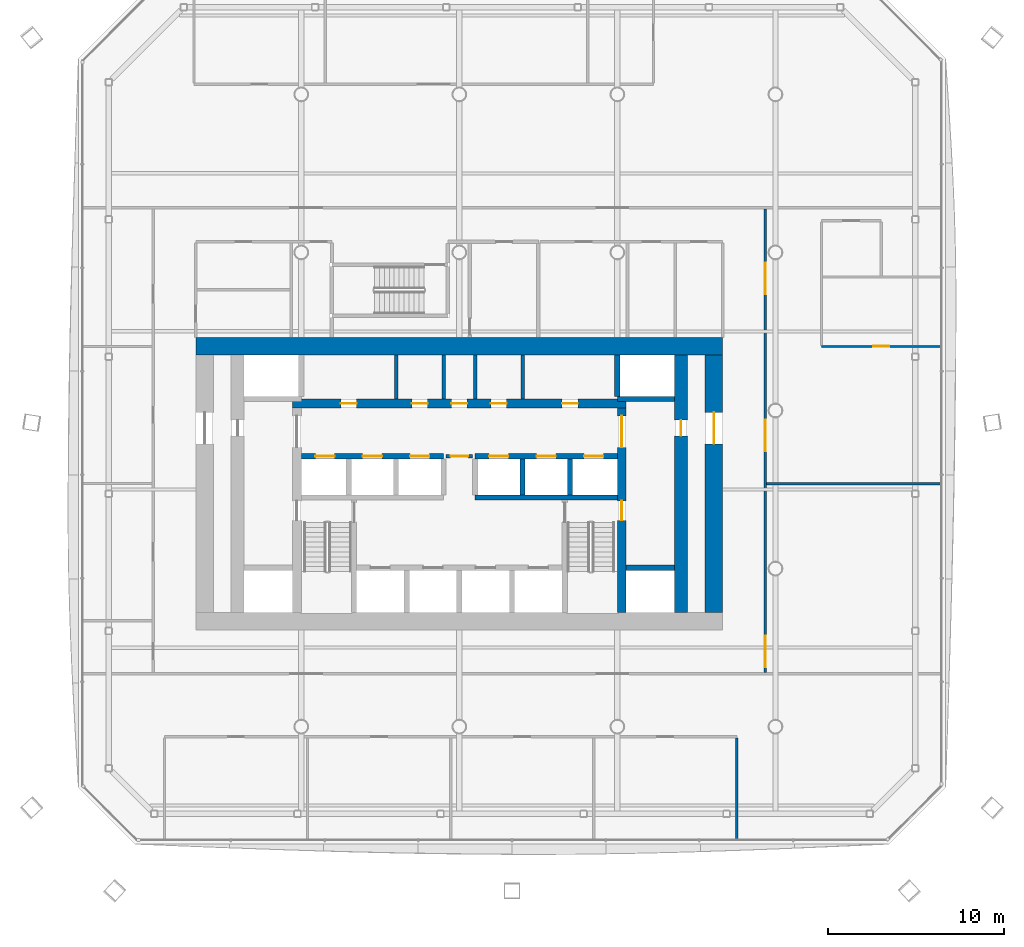
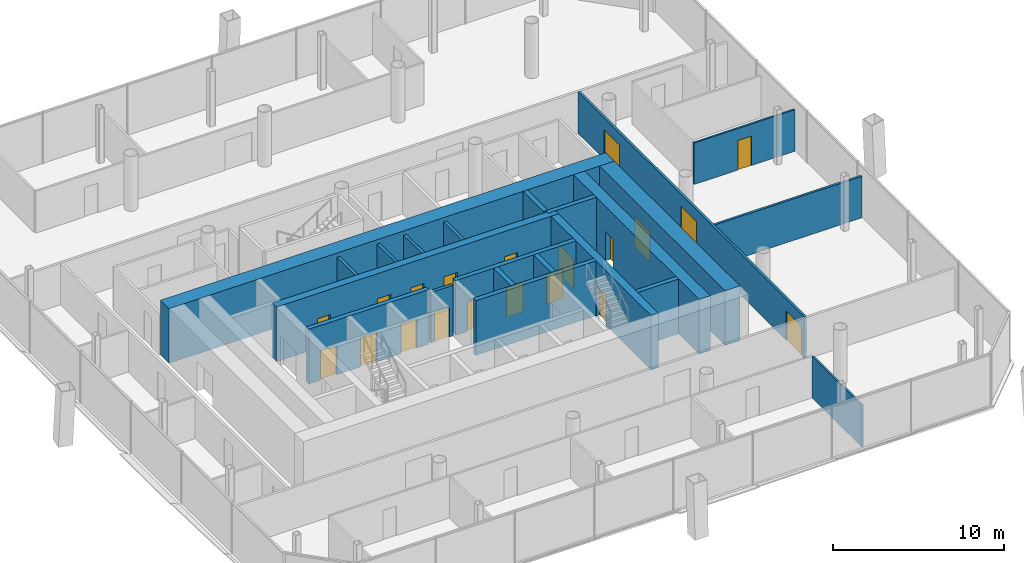
# One storey, part 12 of 19: 22 walls, 20 doors, 20 openings.
"""IFC4 building model written with IfcOpenShell, lengths in metres."""

from ifc_helpers import new_model, si_unit, direction, frame, frame_2d, origin, place, context, subcontext, project, spatial, rectangle, extrude, material, layer, layer_set, type_object, element, fill, save


model = new_model("IFC4")

# Units and contexts
model_context = context("Model", 3, precision=1e-05, world=origin(), true_north=direction((0.0, 1.0)))
body_context = subcontext(model_context, "Body", "Model", "MODEL_VIEW")
ifc_project = project(units=[si_unit("LENGTHUNIT", "METRE"), si_unit("AREAUNIT", "SQUARE_METRE"), si_unit("VOLUMEUNIT", "CUBIC_METRE"), si_unit("PLANEANGLEUNIT", "RADIAN"), si_unit("MASSUNIT", "GRAM", prefix="KILO")], contexts=[model_context])

# Site, building, storey
site_placement = place(None, origin())
site = spatial("IfcSite", under=ifc_project, at=site_placement, CompositionType="ELEMENT")
building_placement = place(site_placement, origin())
building = spatial("IfcBuilding", under=site, at=building_placement, Name="Tskaro Facet Tower", CompositionType="ELEMENT")
storey_placement = place(building_placement, frame((0.0, 0.0, 89.39990234375)))
storey = spatial("IfcBuildingStorey", under=building, at=storey_placement, Name="L21", CompositionType="ELEMENT", Elevation=89.39990234375)

# Walls
ifc_material_1 = material(Name="Concrete C60/75", Category="concrete")
ifc_layer_1 = layer(ifc_material_1, 0.300048828125, Name="Concrete C60/75")
ifc_layer_set_1 = layer_set([ifc_layer_1], Name="Concrete C60/75")
wall_type_1 = type_object("IfcWallType", Name="CORE-SHAFT", PredefinedType="SHEAR", material=ifc_layer_set_1)
wall_1_placement = place(storey_placement, frame((9.5, -8.949951171875, 0.0), z_axis=(0.0, 0.0, 1.0), x_axis=(1.0, 0.0, 0.0)))
element("IfcWall", 1, at=wall_1_placement, inside=storey, type_object=wall_type_1, Name="Shaft wall W006", PredefinedType="SHEAR", context=body_context, shape_type="SweptSolid", body=[
    extrude(rectangle(XDim=2.75, YDim=0.300048828125, at=frame_2d((1.375, 0.0))), origin(), (0.0, 0.0, 1.0), 3.900146484375),
])
wall_2_placement = place(storey_placement, frame((0.89990234375, -4.949951171875, 0.0), z_axis=(0.0, 0.0, 1.0), x_axis=(1.0, 0.0, 0.0)))
element("IfcWall", 2, at=wall_2_placement, inside=storey, type_object=wall_type_1, Name="Shaft wall W008", PredefinedType="SHEAR", context=body_context, shape_type="SweptSolid", body=[
    extrude(rectangle(XDim=8.10009765625, YDim=0.300048828125, at=frame_2d((4.050048828125, 0.0))), origin(), (0.0, 0.0, 1.0), 3.900146484375),
])

# Wall, openings, doors
wall_3_placement = place(storey_placement, frame((-9.0, -2.60009765625, 0.0), z_axis=(0.0, 0.0, 1.0), x_axis=(1.0, 0.0, 0.0)))
wall_3 = element("IfcWall", 3, at=wall_3_placement, inside=storey, type_object=wall_type_1, Name="Shaft wall W011", PredefinedType="SHEAR", context=body_context, shape_type="SweptSolid", body=[
    extrude(rectangle(XDim=8.10009765625, YDim=0.300048828125, at=frame_2d((4.050048828125, 0.0))), origin(), (0.0, 0.0, 1.0), 3.900146484375),
])
opening_1_placement = place(wall_3_placement, frame((0.800048828125, 0.0, 0.0)))
opening_1 = element("IfcOpeningElement", 4, at=opening_1_placement, cuts=wall_3, Name="Opening LD-LR1", PredefinedType="OPENING", context=body_context, shape_type="SweptSolid", body=[
    extrude(rectangle(XDim=1.10009765625, YDim=2.10009765625, at=frame_2d((0.550048828125, 1.050048828125))), frame((0.0, 0.159912109375, 0.0), z_axis=(0.0, -1.0, 0.0), x_axis=(1.0, 0.0, 0.0)), (0.0, 0.0, 1.0), 0.320068359375),
])
opening_2_placement = place(wall_3_placement, frame((3.5, 0.0, 0.0)))
opening_2 = element("IfcOpeningElement", 5, at=opening_2_placement, cuts=wall_3, Name="Opening LD-LR2", PredefinedType="OPENING", context=body_context, shape_type="SweptSolid", body=[
    extrude(rectangle(XDim=1.10009765625, YDim=2.10009765625, at=frame_2d((0.550048828125, 1.050048828125))), frame((0.0, 0.159912109375, 0.0), z_axis=(0.0, -1.0, 0.0), x_axis=(1.0, 0.0, 0.0)), (0.0, 0.0, 1.0), 0.320068359375),
])
opening_3_placement = place(wall_3_placement, frame((6.199951171875, 0.0, 0.0)))
opening_3 = element("IfcOpeningElement", 6, at=opening_3_placement, cuts=wall_3, Name="Opening LD-LR3", PredefinedType="OPENING", context=body_context, shape_type="SweptSolid", body=[
    extrude(rectangle(XDim=1.10009765625, YDim=2.10009765625, at=frame_2d((0.550048828125, 1.050048828125))), frame((0.0, 0.159912109375, 0.0), z_axis=(0.0, -1.0, 0.0), x_axis=(1.0, 0.0, 0.0)), (0.0, 0.0, 1.0), 0.320068359375),
])
ifc_material_2 = material(Name="Stainless steel", Category="steel")
door_type_1 = type_object("IfcDoorType", Name="D-LANDING", OperationType="NOTDEFINED", PredefinedType="DOOR", material=ifc_material_2)
door_1_placement = place(opening_1_placement, origin())
door_1 = element("IfcDoor", 7, at=door_1_placement, inside=storey, type_object=door_type_1, Name="Landing door LR1", OperationType="DOUBLE_DOOR_SLIDING", OverallHeight=2.10009765625, OverallWidth=1.10009765625, PredefinedType="DOOR", context=body_context, shape_type="SweptSolid", body=[
    extrude(rectangle(XDim=1.10009765625, YDim=2.10009765625, at=frame_2d((0.550048828125, 1.050048828125))), frame((0.0, 0.02490234375, 0.0), z_axis=(0.0, -1.0, 0.0), x_axis=(1.0, 0.0, 0.0)), (0.0, 0.0, 1.0), 0.050048828125),
])
fill(opening_1, door_1)
door_2_placement = place(opening_2_placement, origin())
door_2 = element("IfcDoor", 8, at=door_2_placement, inside=storey, type_object=door_type_1, Name="Landing door LR2", OperationType="DOUBLE_DOOR_SLIDING", OverallHeight=2.10009765625, OverallWidth=1.10009765625, PredefinedType="DOOR", context=body_context, shape_type="SweptSolid", body=[
    extrude(rectangle(XDim=1.10009765625, YDim=2.10009765625, at=frame_2d((0.550048828125, 1.050048828125))), frame((0.0, 0.02490234375, 0.0), z_axis=(0.0, -1.0, 0.0), x_axis=(1.0, 0.0, 0.0)), (0.0, 0.0, 1.0), 0.050048828125),
])
fill(opening_2, door_2)
door_3_placement = place(opening_3_placement, origin())
door_3 = element("IfcDoor", 9, at=door_3_placement, inside=storey, type_object=door_type_1, Name="Landing door LR3", OperationType="DOUBLE_DOOR_SLIDING", OverallHeight=2.10009765625, OverallWidth=1.10009765625, PredefinedType="DOOR", context=body_context, shape_type="SweptSolid", body=[
    extrude(rectangle(XDim=1.10009765625, YDim=2.10009765625, at=frame_2d((0.550048828125, 1.050048828125))), frame((0.0, 0.02490234375, 0.0), z_axis=(0.0, -1.0, 0.0), x_axis=(1.0, 0.0, 0.0)), (0.0, 0.0, 1.0), 0.050048828125),
])
fill(opening_3, door_3)

wall_4_placement = place(storey_placement, frame((0.89990234375, -2.60009765625, 0.0), z_axis=(0.0, 0.0, 1.0), x_axis=(1.0, 0.0, 0.0)))
wall_4 = element("IfcWall", 10, at=wall_4_placement, inside=storey, type_object=wall_type_1, Name="Shaft wall W013", PredefinedType="SHEAR", context=body_context, shape_type="SweptSolid", body=[
    extrude(rectangle(XDim=8.10009765625, YDim=0.300048828125, at=frame_2d((4.050048828125, 0.0))), origin(), (0.0, 0.0, 1.0), 3.900146484375),
])
opening_4_placement = place(wall_4_placement, frame((0.800048828125, 0.0, 0.0)))
opening_4 = element("IfcOpeningElement", 11, at=opening_4_placement, cuts=wall_4, Name="Opening LD-LR4", PredefinedType="OPENING", context=body_context, shape_type="SweptSolid", body=[
    extrude(rectangle(XDim=1.10009765625, YDim=2.10009765625, at=frame_2d((0.550048828125, 1.050048828125))), frame((0.0, 0.159912109375, 0.0), z_axis=(0.0, -1.0, 0.0), x_axis=(1.0, 0.0, 0.0)), (0.0, 0.0, 1.0), 0.320068359375),
])
opening_5_placement = place(wall_4_placement, frame((3.5, 0.0, 0.0)))
opening_5 = element("IfcOpeningElement", 12, at=opening_5_placement, cuts=wall_4, Name="Opening LD-LR5", PredefinedType="OPENING", context=body_context, shape_type="SweptSolid", body=[
    extrude(rectangle(XDim=1.10009765625, YDim=2.10009765625, at=frame_2d((0.550048828125, 1.050048828125))), frame((0.0, 0.159912109375, 0.0), z_axis=(0.0, -1.0, 0.0), x_axis=(1.0, 0.0, 0.0)), (0.0, 0.0, 1.0), 0.320068359375),
])
opening_6_placement = place(wall_4_placement, frame((6.199951171875, 0.0, 0.0)))
opening_6 = element("IfcOpeningElement", 13, at=opening_6_placement, cuts=wall_4, Name="Opening LD-LR6", PredefinedType="OPENING", context=body_context, shape_type="SweptSolid", body=[
    extrude(rectangle(XDim=1.10009765625, YDim=2.10009765625, at=frame_2d((0.550048828125, 1.050048828125))), frame((0.0, 0.159912109375, 0.0), z_axis=(0.0, -1.0, 0.0), x_axis=(1.0, 0.0, 0.0)), (0.0, 0.0, 1.0), 0.320068359375),
])
door_4_placement = place(opening_4_placement, origin())
door_4 = element("IfcDoor", 14, at=door_4_placement, inside=storey, type_object=door_type_1, Name="Landing door LR4", OperationType="DOUBLE_DOOR_SLIDING", OverallHeight=2.10009765625, OverallWidth=1.10009765625, PredefinedType="DOOR", context=body_context, shape_type="SweptSolid", body=[
    extrude(rectangle(XDim=1.10009765625, YDim=2.10009765625, at=frame_2d((0.550048828125, 1.050048828125))), frame((0.0, 0.02490234375, 0.0), z_axis=(0.0, -1.0, 0.0), x_axis=(1.0, 0.0, 0.0)), (0.0, 0.0, 1.0), 0.050048828125),
])
fill(opening_4, door_4)
door_5_placement = place(opening_5_placement, origin())
door_5 = element("IfcDoor", 15, at=door_5_placement, inside=storey, type_object=door_type_1, Name="Landing door LR5", OperationType="DOUBLE_DOOR_SLIDING", OverallHeight=2.10009765625, OverallWidth=1.10009765625, PredefinedType="DOOR", context=body_context, shape_type="SweptSolid", body=[
    extrude(rectangle(XDim=1.10009765625, YDim=2.10009765625, at=frame_2d((0.550048828125, 1.050048828125))), frame((0.0, 0.02490234375, 0.0), z_axis=(0.0, -1.0, 0.0), x_axis=(1.0, 0.0, 0.0)), (0.0, 0.0, 1.0), 0.050048828125),
])
fill(opening_5, door_5)
door_6_placement = place(opening_6_placement, origin())
door_6 = element("IfcDoor", 16, at=door_6_placement, inside=storey, type_object=door_type_1, Name="Landing door LR6", OperationType="DOUBLE_DOOR_SLIDING", OverallHeight=2.10009765625, OverallWidth=1.10009765625, PredefinedType="DOOR", context=body_context, shape_type="SweptSolid", body=[
    extrude(rectangle(XDim=1.10009765625, YDim=2.10009765625, at=frame_2d((0.550048828125, 1.050048828125))), frame((0.0, 0.02490234375, 0.0), z_axis=(0.0, -1.0, 0.0), x_axis=(1.0, 0.0, 0.0)), (0.0, 0.0, 1.0), 0.050048828125),
])
fill(opening_6, door_6)

# Walls
wall_5_placement = place(storey_placement, frame((12.25, 0.64990234375, 0.0), z_axis=(0.0, 0.0, 1.0), x_axis=(-1.0, 0.0, 0.0)))
element("IfcWall", 17, at=wall_5_placement, inside=storey, type_object=wall_type_1, Name="Shaft wall W015", PredefinedType="SHEAR", context=body_context, shape_type="SweptSolid", body=[
    extrude(rectangle(XDim=3.25, YDim=0.300048828125, at=frame_2d((1.625, 0.0))), origin(), (0.0, 0.0, 1.0), 3.900146484375),
])
for number, where, z_axis, x_axis, name in (
    (18, (3.60009765625, -4.800048828125, 0.0), (0.0, 0.0, 1.0), (0.0, 1.0, 0.0), "Shaft wall W054"),
    (19, (6.300048828125, -4.800048828125, 0.0), (0.0, 0.0, 1.0), (0.0, 1.0, 0.0), "Shaft wall W058"),
):
    element("IfcWall", number, at=place(storey_placement, frame(where, z_axis=z_axis, x_axis=x_axis)), inside=storey, type_object=wall_type_1, Name=name, PredefinedType="SHEAR", context=body_context, shape_type="SweptSolid", body=[
        extrude(rectangle(XDim=2.050048828125, YDim=0.300048828125, at=frame_2d((1.02490234375, 0.0))), origin(), (0.0, 0.0, 1.0), 3.900146484375),
    ])
wall_6_placement = place(storey_placement, frame((9.0, 0.800048828125, 0.0), z_axis=(0.0, 0.0, 1.0), x_axis=(0.0, 1.0, 0.0)))
element("IfcWall", 20, at=wall_6_placement, inside=storey, type_object=wall_type_1, Name="Shaft wall W061", PredefinedType="SHEAR", context=body_context, shape_type="SweptSolid", body=[
    extrude(rectangle(XDim=2.349853515625, YDim=0.300048828125, at=frame_2d((1.1748046875, 0.0))), origin(), (0.0, 0.0, 1.0), 3.900146484375),
])

# Wall, opening, door
ifc_material_3 = material(Name="Concrete C20/25", Category="concrete")
ifc_layer_2 = layer(ifc_material_3, 0.199951171875, Name="Concrete C20/25")
ifc_layer_set_2 = layer_set([ifc_layer_2], Name="Concrete C20/25")
wall_type_2 = type_object("IfcWallType", Name="CORE-WALL", PredefinedType="SOLIDWALL", material=ifc_layer_set_2)
wall_7_placement = place(storey_placement, frame((0.75, -2.60009765625, 0.0), z_axis=(0.0, 0.0, 1.0), x_axis=(-1.0, 0.0, 0.0)))
wall_7 = element("IfcWall", 21, at=wall_7_placement, inside=storey, type_object=wall_type_2, Name="Core room wall W012", PredefinedType="SOLIDWALL", context=body_context, shape_type="SweptSolid", body=[
    extrude(rectangle(XDim=1.5, YDim=0.199951171875, at=frame_2d((0.75, 0.0))), origin(), (0.0, 0.0, 1.0), 3.60009765625),
])
opening_7_placement = place(wall_7_placement, frame((0.25, 0.0, 0.0)))
opening_7 = element("IfcOpeningElement", 22, at=opening_7_placement, cuts=wall_7, Name="Opening FL-D1", PredefinedType="OPENING", context=body_context, shape_type="SweptSolid", body=[
    extrude(rectangle(XDim=1.0, YDim=2.10009765625, at=frame_2d((0.5, 1.050048828125))), frame((0.0, 0.10986328125, 0.0), z_axis=(0.0, -1.0, 0.0), x_axis=(1.0, 0.0, 0.0)), (0.0, 0.0, 1.0), 0.219970703125),
])
ifc_material_4 = material(Name="Steel", Category="steel")
door_type_2 = type_object("IfcDoorType", Name="D-LOBBY", OperationType="NOTDEFINED", PredefinedType="DOOR", material=ifc_material_4)
door_7_placement = place(opening_7_placement, origin())
door_7 = element("IfcDoor", 23, at=door_7_placement, inside=storey, type_object=door_type_2, Name="Lobby door FL", OperationType="SINGLE_SWING_RIGHT", OverallHeight=2.10009765625, OverallWidth=1.0, PredefinedType="DOOR", context=body_context, shape_type="SweptSolid", body=[
    extrude(rectangle(XDim=1.0, YDim=2.10009765625, at=frame_2d((0.5, 1.050048828125))), frame((0.0, 0.02490234375, 0.0), z_axis=(0.0, -1.0, 0.0), x_axis=(1.0, 0.0, 0.0)), (0.0, 0.0, 1.0), 0.050048828125),
])
fill(opening_7, door_7)

# Walls
for number, where, z_axis, x_axis, name in (
    (24, (-3.60009765625, 0.64990234375, 0.0), (0.0, 0.0, 1.0), (0.0, 1.0, 0.0), "Core room wall W042"),
    (25, (-0.89990234375, 0.64990234375, 0.0), (0.0, 0.0, 1.0), (0.0, 1.0, 0.0), "Core room wall W045"),
    (26, (0.89990234375, 0.64990234375, 0.0), (0.0, 0.0, 1.0), (0.0, 1.0, 0.0), "Core room wall W052"),
    (27, (3.60009765625, 0.64990234375, 0.0), (0.0, 0.0, 1.0), (0.0, 1.0, 0.0), "Core room wall W055"),
):
    element("IfcWall", number, at=place(storey_placement, frame(where, z_axis=z_axis, x_axis=x_axis)), inside=storey, type_object=wall_type_2, Name=name, PredefinedType="SOLIDWALL", context=body_context, shape_type="SweptSolid", body=[
        extrude(rectangle(XDim=2.5, YDim=0.199951171875, at=frame_2d((1.25, 0.0))), origin(), (0.0, 0.0, 1.0), 3.60009765625),
    ])
ifc_layer_3 = layer(ifc_material_1, 1.0, Name="Concrete C60/75")
ifc_layer_set_3 = layer_set([ifc_layer_3], Name="Concrete C60/75")
wall_type_3 = type_object("IfcWallType", Name="Core wall 1000", PredefinedType="SHEAR", material=ifc_layer_set_3)
wall_8_placement = place(storey_placement, frame((-15.0, 3.64990234375, 0.0), z_axis=(0.0, 0.0, 1.0), x_axis=(1.0, 0.0, 0.0)))
element("IfcWall", 28, at=wall_8_placement, inside=storey, type_object=wall_type_3, Name="Core wall CW-Z1N", PredefinedType="SHEAR", context=body_context, shape_type="SweptSolid", body=[
    extrude(rectangle(XDim=30.0, YDim=1.0, at=frame_2d((15.0, 0.0))), origin(), (0.0, 0.0, 1.0), 3.900146484375),
])

# Wall, opening, door
wall_9_placement = place(storey_placement, frame((14.5, -11.5, 0.0), z_axis=(0.0, 0.0, 1.0), x_axis=(0.0, 1.0, 0.0)))
wall_9 = element("IfcWall", 29, at=wall_9_placement, inside=storey, type_object=wall_type_3, Name="Core wall CW-Z1E", PredefinedType="SHEAR", context=body_context, shape_type="SweptSolid", body=[
    extrude(rectangle(XDim=14.64990234375, YDim=1.0, at=frame_2d((7.324951171875, 0.0))), origin(), (0.0, 0.0, 1.0), 3.900146484375),
])
opening_8_placement = place(wall_9_placement, frame((9.60009765625, 0.0, 0.0)))
opening_8 = element("IfcOpeningElement", 30, at=opening_8_placement, cuts=wall_9, Name="Opening T6-D18", PredefinedType="OPENING", context=body_context, shape_type="SweptSolid", body=[
    extrude(rectangle(XDim=1.800048828125, YDim=2.10009765625, at=frame_2d((0.89990234375, 1.050048828125))), frame((0.0, 0.510009765625, 0.0), z_axis=(0.0, -1.0, 0.0), x_axis=(1.0, 0.0, 0.0)), (0.0, 0.0, 1.0), 1.02001953125),
])
door_type_3 = type_object("IfcDoorType", Name="D-CORE-PAIR", OperationType="NOTDEFINED", PredefinedType="DOOR", material=ifc_material_4)
door_8_placement = place(opening_8_placement, origin())
door_8 = element("IfcDoor", 31, at=door_8_placement, inside=storey, type_object=door_type_3, Name="Door T6-D18", OperationType="DOUBLE_DOOR_SINGLE_SWING", OverallHeight=2.10009765625, OverallWidth=1.800048828125, PredefinedType="DOOR", context=body_context, shape_type="SweptSolid", body=[
    extrude(rectangle(XDim=1.800048828125, YDim=2.10009765625, at=frame_2d((0.89990234375, 1.050048828125))), frame((0.0, 0.02490234375, 0.0), z_axis=(0.0, -1.0, 0.0), x_axis=(1.0, 0.0, 0.0)), (0.0, 0.0, 1.0), 0.050048828125),
])
fill(opening_8, door_8)

# Wall, openings, doors
ifc_material_5 = material(Name="Concrete C40/50", Category="concrete")
ifc_layer_4 = layer(ifc_material_5, 0.5, Name="Concrete C40/50")
ifc_layer_set_4 = layer_set([ifc_layer_4], Name="Concrete C40/50")
wall_type_4 = type_object("IfcWallType", Name="Core wall 500", PredefinedType="SHEAR", material=ifc_layer_set_4)
wall_10_placement = place(storey_placement, frame((-9.5, 0.39990234375, 0.0), z_axis=(0.0, 0.0, 1.0), x_axis=(1.0, 0.0, 0.0)))
wall_10 = element("IfcWall", 32, at=wall_10_placement, inside=storey, type_object=wall_type_4, Name="Core wall CW-Z3N", PredefinedType="SHEAR", context=body_context, shape_type="SweptSolid", body=[
    extrude(rectangle(XDim=19.0, YDim=0.5, at=frame_2d((9.5, 0.0))), origin(), (0.0, 0.0, 1.0), 3.900146484375),
])
opening_9_placement = place(wall_10_placement, frame((2.75, 0.0, 0.0)))
opening_9 = element("IfcOpeningElement", 33, at=opening_9_placement, cuts=wall_10, Name="Opening T6-D20", PredefinedType="OPENING", context=body_context, shape_type="SweptSolid", body=[
    extrude(rectangle(XDim=0.89990234375, YDim=2.10009765625, at=frame_2d((0.449951171875, 1.050048828125))), frame((0.0, 0.260009765625, 0.0), z_axis=(0.0, -1.0, 0.0), x_axis=(1.0, 0.0, 0.0)), (0.0, 0.0, 1.0), 0.52001953125),
])
opening_10_placement = place(wall_10_placement, frame((6.800048828125, 0.0, 0.0)))
opening_10 = element("IfcOpeningElement", 34, at=opening_10_placement, cuts=wall_10, Name="Opening T6-D21", PredefinedType="OPENING", context=body_context, shape_type="SweptSolid", body=[
    extrude(rectangle(XDim=0.89990234375, YDim=2.10009765625, at=frame_2d((0.449951171875, 1.050048828125))), frame((0.0, 0.260009765625, 0.0), z_axis=(0.0, -1.0, 0.0), x_axis=(1.0, 0.0, 0.0)), (0.0, 0.0, 1.0), 0.52001953125),
])
opening_11_placement = place(wall_10_placement, frame((11.300048828125, 0.0, 0.0)))
opening_11 = element("IfcOpeningElement", 35, at=opening_11_placement, cuts=wall_10, Name="Opening T6-D23", PredefinedType="OPENING", context=body_context, shape_type="SweptSolid", body=[
    extrude(rectangle(XDim=0.89990234375, YDim=2.10009765625, at=frame_2d((0.449951171875, 1.050048828125))), frame((0.0, 0.260009765625, 0.0), z_axis=(0.0, -1.0, 0.0), x_axis=(1.0, 0.0, 0.0)), (0.0, 0.0, 1.0), 0.52001953125),
])
opening_12_placement = place(wall_10_placement, frame((15.35009765625, 0.0, 0.0)))
opening_12 = element("IfcOpeningElement", 36, at=opening_12_placement, cuts=wall_10, Name="Opening T6-D24", PredefinedType="OPENING", context=body_context, shape_type="SweptSolid", body=[
    extrude(rectangle(XDim=0.89990234375, YDim=2.10009765625, at=frame_2d((0.449951171875, 1.050048828125))), frame((0.0, 0.260009765625, 0.0), z_axis=(0.0, -1.0, 0.0), x_axis=(1.0, 0.0, 0.0)), (0.0, 0.0, 1.0), 0.52001953125),
])
opening_13_placement = place(wall_10_placement, frame((9.050048828125, 0.0, 0.0)))
opening_13 = element("IfcOpeningElement", 37, at=opening_13_placement, cuts=wall_10, Name="Opening T6-D22", PredefinedType="OPENING", context=body_context, shape_type="SweptSolid", body=[
    extrude(rectangle(XDim=0.89990234375, YDim=2.10009765625, at=frame_2d((0.449951171875, 1.050048828125))), frame((0.0, 0.260009765625, 0.0), z_axis=(0.0, -1.0, 0.0), x_axis=(1.0, 0.0, 0.0)), (0.0, 0.0, 1.0), 0.52001953125),
])
door_type_4 = type_object("IfcDoorType", Name="D-RISER", OperationType="NOTDEFINED", PredefinedType="DOOR", material=ifc_material_4)
door_9_placement = place(opening_13_placement, origin())
door_9 = element("IfcDoor", 38, at=door_9_placement, inside=storey, type_object=door_type_4, Name="Door T6-D22", OperationType="SINGLE_SWING_LEFT", OverallHeight=2.10009765625, OverallWidth=0.89990234375, PredefinedType="DOOR", context=body_context, shape_type="SweptSolid", body=[
    extrude(rectangle(XDim=0.89990234375, YDim=2.10009765625, at=frame_2d((0.449951171875, 1.050048828125))), frame((0.0, 0.02490234375, 0.0), z_axis=(0.0, -1.0, 0.0), x_axis=(1.0, 0.0, 0.0)), (0.0, 0.0, 1.0), 0.050048828125),
])
fill(opening_13, door_9)
ifc_material_6 = material(Name="Timber", Category="wood")
door_type_5 = type_object("IfcDoorType", Name="D-ROOM", OperationType="NOTDEFINED", PredefinedType="DOOR", material=ifc_material_6)
door_10_placement = place(opening_9_placement, origin())
door_10 = element("IfcDoor", 39, at=door_10_placement, inside=storey, type_object=door_type_5, Name="Door T6-D20", OperationType="SINGLE_SWING_LEFT", OverallHeight=2.10009765625, OverallWidth=0.89990234375, PredefinedType="DOOR", context=body_context, shape_type="SweptSolid", body=[
    extrude(rectangle(XDim=0.89990234375, YDim=2.10009765625, at=frame_2d((0.449951171875, 1.050048828125))), frame((0.0, 0.02490234375, 0.0), z_axis=(0.0, -1.0, 0.0), x_axis=(1.0, 0.0, 0.0)), (0.0, 0.0, 1.0), 0.050048828125),
])
fill(opening_9, door_10)
door_11_placement = place(opening_10_placement, origin())
door_11 = element("IfcDoor", 40, at=door_11_placement, inside=storey, type_object=door_type_5, Name="Door T6-D21", OperationType="SINGLE_SWING_LEFT", OverallHeight=2.10009765625, OverallWidth=0.89990234375, PredefinedType="DOOR", context=body_context, shape_type="SweptSolid", body=[
    extrude(rectangle(XDim=0.89990234375, YDim=2.10009765625, at=frame_2d((0.449951171875, 1.050048828125))), frame((0.0, 0.02490234375, 0.0), z_axis=(0.0, -1.0, 0.0), x_axis=(1.0, 0.0, 0.0)), (0.0, 0.0, 1.0), 0.050048828125),
])
fill(opening_10, door_11)
door_12_placement = place(opening_11_placement, origin())
door_12 = element("IfcDoor", 41, at=door_12_placement, inside=storey, type_object=door_type_5, Name="Door T6-D23", OperationType="SINGLE_SWING_LEFT", OverallHeight=2.10009765625, OverallWidth=0.89990234375, PredefinedType="DOOR", context=body_context, shape_type="SweptSolid", body=[
    extrude(rectangle(XDim=0.89990234375, YDim=2.10009765625, at=frame_2d((0.449951171875, 1.050048828125))), frame((0.0, 0.02490234375, 0.0), z_axis=(0.0, -1.0, 0.0), x_axis=(1.0, 0.0, 0.0)), (0.0, 0.0, 1.0), 0.050048828125),
])
fill(opening_11, door_12)
door_13_placement = place(opening_12_placement, origin())
door_13 = element("IfcDoor", 42, at=door_13_placement, inside=storey, type_object=door_type_5, Name="Door T6-D24", OperationType="SINGLE_SWING_LEFT", OverallHeight=2.10009765625, OverallWidth=0.89990234375, PredefinedType="DOOR", context=body_context, shape_type="SweptSolid", body=[
    extrude(rectangle(XDim=0.89990234375, YDim=2.10009765625, at=frame_2d((0.449951171875, 1.050048828125))), frame((0.0, 0.02490234375, 0.0), z_axis=(0.0, -1.0, 0.0), x_axis=(1.0, 0.0, 0.0)), (0.0, 0.0, 1.0), 0.050048828125),
])
fill(opening_12, door_13)

wall_11_placement = place(storey_placement, frame((9.25, -11.5, 0.0), z_axis=(0.0, 0.0, 1.0), x_axis=(0.0, 1.0, 0.0)))
wall_11 = element("IfcWall", 43, at=wall_11_placement, inside=storey, type_object=wall_type_4, Name="Core wall CW-Z3E", PredefinedType="SHEAR", context=body_context, shape_type="SweptSolid", body=[
    extrude(rectangle(XDim=11.64990234375, YDim=0.5, at=frame_2d((5.824951171875, 0.0))), origin(), (0.0, 0.0, 1.0), 3.900146484375),
])
opening_14_placement = place(wall_11_placement, frame((9.39990234375, 0.0, 0.0)))
opening_14 = element("IfcOpeningElement", 44, at=opening_14_placement, cuts=wall_11, Name="Opening T6-D14", PredefinedType="OPENING", context=body_context, shape_type="SweptSolid", body=[
    extrude(rectangle(XDim=1.800048828125, YDim=2.10009765625, at=frame_2d((0.89990234375, 1.050048828125))), frame((0.0, 0.260009765625, 0.0), z_axis=(0.0, -1.0, 0.0), x_axis=(1.0, 0.0, 0.0)), (0.0, 0.0, 1.0), 0.52001953125),
])
opening_15_placement = place(wall_11_placement, frame((5.25, 0.0, 0.0)))
opening_15 = element("IfcOpeningElement", 45, at=opening_15_placement, cuts=wall_11, Name="Opening ST-2-D2", PredefinedType="OPENING", context=body_context, shape_type="SweptSolid", body=[
    extrude(rectangle(XDim=1.10009765625, YDim=2.10009765625, at=frame_2d((0.550048828125, 1.050048828125))), frame((0.0, 0.260009765625, 0.0), z_axis=(0.0, -1.0, 0.0), x_axis=(1.0, 0.0, 0.0)), (0.0, 0.0, 1.0), 0.52001953125),
])
door_14_placement = place(opening_14_placement, origin())
door_14 = element("IfcDoor", 46, at=door_14_placement, inside=storey, type_object=door_type_3, Name="Door T6-D14", OperationType="DOUBLE_DOOR_SINGLE_SWING", OverallHeight=2.10009765625, OverallWidth=1.800048828125, PredefinedType="DOOR", context=body_context, shape_type="SweptSolid", body=[
    extrude(rectangle(XDim=1.800048828125, YDim=2.10009765625, at=frame_2d((0.89990234375, 1.050048828125))), frame((0.0, 0.02490234375, 0.0), z_axis=(0.0, -1.0, 0.0), x_axis=(1.0, 0.0, 0.0)), (0.0, 0.0, 1.0), 0.050048828125),
])
fill(opening_14, door_14)
door_type_6 = type_object("IfcDoorType", Name="D-STAIR", OperationType="NOTDEFINED", PredefinedType="DOOR", material=ifc_material_4)
door_15_placement = place(opening_15_placement, origin())
door_15 = element("IfcDoor", 47, at=door_15_placement, inside=storey, type_object=door_type_6, Name="Stair door 2 east", OperationType="SINGLE_SWING_LEFT", OverallHeight=2.10009765625, OverallWidth=1.10009765625, PredefinedType="DOOR", context=body_context, shape_type="SweptSolid", body=[
    extrude(rectangle(XDim=1.10009765625, YDim=2.10009765625, at=frame_2d((0.550048828125, 1.050048828125))), frame((0.0, 0.02490234375, 0.0), z_axis=(0.0, -1.0, 0.0), x_axis=(1.0, 0.0, 0.0)), (0.0, 0.0, 1.0), 0.050048828125),
])
fill(opening_15, door_15)

# Wall, opening, door
ifc_material_7 = material(Name="Concrete C50/60", Category="concrete")
ifc_layer_5 = layer(ifc_material_7, 0.75, Name="Concrete C50/60")
ifc_layer_set_5 = layer_set([ifc_layer_5], Name="Concrete C50/60")
wall_type_5 = type_object("IfcWallType", Name="Core wall 750", PredefinedType="SHEAR", material=ifc_layer_set_5)
wall_12_placement = place(storey_placement, frame((12.625, -11.5, 0.0), z_axis=(0.0, 0.0, 1.0), x_axis=(0.0, 1.0, 0.0)))
wall_12 = element("IfcWall", 48, at=wall_12_placement, inside=storey, type_object=wall_type_5, Name="Core wall CW-Z2E", PredefinedType="SHEAR", context=body_context, shape_type="SweptSolid", body=[
    extrude(rectangle(XDim=14.64990234375, YDim=0.75, at=frame_2d((7.324951171875, 0.0))), origin(), (0.0, 0.0, 1.0), 3.900146484375),
])
opening_16_placement = place(wall_12_placement, frame((10.050048828125, 0.0, 0.0)))
opening_16 = element("IfcOpeningElement", 49, at=opening_16_placement, cuts=wall_12, Name="Opening T6-D17", PredefinedType="OPENING", context=body_context, shape_type="SweptSolid", body=[
    extrude(rectangle(XDim=0.89990234375, YDim=2.10009765625, at=frame_2d((0.449951171875, 1.050048828125))), frame((0.0, 0.385009765625, 0.0), z_axis=(0.0, -1.0, 0.0), x_axis=(1.0, 0.0, 0.0)), (0.0, 0.0, 1.0), 0.77001953125),
])
door_16_placement = place(opening_16_placement, origin())
door_16 = element("IfcDoor", 50, at=door_16_placement, inside=storey, type_object=door_type_5, Name="Door T6-D17", OperationType="SINGLE_SWING_LEFT", OverallHeight=2.10009765625, OverallWidth=0.89990234375, PredefinedType="DOOR", context=body_context, shape_type="SweptSolid", body=[
    extrude(rectangle(XDim=0.89990234375, YDim=2.10009765625, at=frame_2d((0.449951171875, 1.050048828125))), frame((0.0, 0.02490234375, 0.0), z_axis=(0.0, -1.0, 0.0), x_axis=(1.0, 0.0, 0.0)), (0.0, 0.0, 1.0), 0.050048828125),
])
fill(opening_16, door_16)

ifc_material_8 = material(Name="Gypsum board on steel studs", Category="steel")
ifc_layer_6 = layer(ifc_material_8, 0.125, Name="Gypsum board on steel studs")
ifc_layer_set_6 = layer_set([ifc_layer_6], Name="Gypsum board on steel studs")
wall_type_6 = type_object("IfcWallType", Name="PART", PredefinedType="PARTITIONING", material=ifc_layer_set_6)
wall_13_placement = place(storey_placement, frame((20.625, 3.64794921875, 0.0), z_axis=(0.0, 0.0, 1.0), x_axis=(1.0, 0.0, 0.0)))
wall_13 = element("IfcWall", 51, at=wall_13_placement, inside=storey, type_object=wall_type_6, Name="Partition W017", PredefinedType="PARTITIONING", context=body_context, shape_type="SweptSolid", body=[
    extrude(rectangle(XDim=6.7880859375, YDim=0.125, at=frame_2d((3.39404296875, 0.0))), origin(), (0.0, 0.0, 1.0), 2.960205078125),
])
opening_17_placement = place(wall_13_placement, frame((2.944091796875, 0.0, 0.0)))
opening_17 = element("IfcOpeningElement", 52, at=opening_17_placement, cuts=wall_13, Name="Opening T6-D27", PredefinedType="OPENING", context=body_context, shape_type="SweptSolid", body=[
    extrude(rectangle(XDim=0.89990234375, YDim=2.10009765625, at=frame_2d((0.449951171875, 1.050048828125))), frame((0.0, 0.072509765625, 0.0), z_axis=(0.0, -1.0, 0.0), x_axis=(1.0, 0.0, 0.0)), (0.0, 0.0, 1.0), 0.14501953125),
])
door_17_placement = place(opening_17_placement, origin())
door_17 = element("IfcDoor", 53, at=door_17_placement, inside=storey, type_object=door_type_5, Name="Door T6-D27", OperationType="SINGLE_SWING_LEFT", OverallHeight=2.10009765625, OverallWidth=0.89990234375, PredefinedType="DOOR", context=body_context, shape_type="SweptSolid", body=[
    extrude(rectangle(XDim=0.89990234375, YDim=2.10009765625, at=frame_2d((0.449951171875, 1.050048828125))), frame((0.0, 0.02490234375, 0.0), z_axis=(0.0, -1.0, 0.0), x_axis=(1.0, 0.0, 0.0)), (0.0, 0.0, 1.0), 0.050048828125),
])
fill(opening_17, door_17)

# Walls
wall_14_placement = place(storey_placement, frame((15.798095703125, -24.4130859375, 0.0), z_axis=(0.0, 0.0, 1.0), x_axis=(0.0, 1.0, 0.0)))
element("IfcWall", 54, at=wall_14_placement, inside=storey, type_object=wall_type_6, Name="Partition W066", PredefinedType="PARTITIONING", context=body_context, shape_type="SweptSolid", body=[
    extrude(rectangle(XDim=5.7705078125, YDim=0.125, at=frame_2d((2.88525390625, 0.0))), origin(), (0.0, 0.0, 1.0), 2.960205078125),
])
ifc_layer_7 = layer(ifc_material_8, 0.14990234375, Name="Gypsum board on steel studs")
ifc_layer_set_7 = layer_set([ifc_layer_7], Name="Gypsum board on steel studs")
wall_type_7 = type_object("IfcWallType", Name="PART-CORR", PredefinedType="PARTITIONING", material=ifc_layer_set_7)
wall_15_placement = place(storey_placement, frame((17.5, -4.162109375, 0.0), z_axis=(0.0, 0.0, 1.0), x_axis=(1.0, 0.0, 0.0)))
element("IfcWall", 55, at=wall_15_placement, inside=storey, type_object=wall_type_7, Name="Corridor wall W010", PredefinedType="PARTITIONING", context=body_context, shape_type="SweptSolid", body=[
    extrude(rectangle(XDim=9.9130859375, YDim=0.14990234375, at=frame_2d((4.95654296875, 0.0))), origin(), (0.0, 0.0, 1.0), 2.960205078125),
])

# Wall, openings, doors
wall_16_placement = place(storey_placement, frame((17.425048828125, -14.925048828125, 0.0), z_axis=(0.0, 0.0, 1.0), x_axis=(0.0, 1.0, 0.0)))
wall_16 = element("IfcWall", 56, at=wall_16_placement, inside=storey, type_object=wall_type_7, Name="Corridor wall W067", PredefinedType="PARTITIONING", context=body_context, shape_type="SweptSolid", body=[
    extrude(rectangle(XDim=26.405029296875, YDim=0.14990234375, at=frame_2d((13.20263671875, 0.0))), origin(), (0.0, 0.0, 1.0), 2.960205078125),
])
opening_18_placement = place(wall_16_placement, frame((0.3125, 0.0, 0.0)))
opening_18 = element("IfcOpeningElement", 57, at=opening_18_placement, cuts=wall_16, Name="Opening T6-D08", PredefinedType="OPENING", context=body_context, shape_type="SweptSolid", body=[
    extrude(rectangle(XDim=1.800048828125, YDim=2.10009765625, at=frame_2d((0.89990234375, 1.050048828125))), frame((0.0, 0.0849609375, 0.0), z_axis=(0.0, -1.0, 0.0), x_axis=(1.0, 0.0, 0.0)), (0.0, 0.0, 1.0), 0.169921875),
])
opening_19_placement = place(wall_16_placement, frame((12.592041015625, 0.0, 0.0)))
opening_19 = element("IfcOpeningElement", 58, at=opening_19_placement, cuts=wall_16, Name="Opening T6-D12", PredefinedType="OPENING", context=body_context, shape_type="SweptSolid", body=[
    extrude(rectangle(XDim=1.800048828125, YDim=2.10009765625, at=frame_2d((0.89990234375, 1.050048828125))), frame((0.0, 0.0849609375, 0.0), z_axis=(0.0, -1.0, 0.0), x_axis=(1.0, 0.0, 0.0)), (0.0, 0.0, 1.0), 0.169921875),
])
opening_20_placement = place(wall_16_placement, frame((21.551025390625, 0.0, 0.0)))
opening_20 = element("IfcOpeningElement", 59, at=opening_20_placement, cuts=wall_16, Name="Opening T6-D31", PredefinedType="OPENING", context=body_context, shape_type="SweptSolid", body=[
    extrude(rectangle(XDim=1.800048828125, YDim=2.10009765625, at=frame_2d((0.89990234375, 1.050048828125))), frame((0.0, 0.0849609375, 0.0), z_axis=(0.0, -1.0, 0.0), x_axis=(1.0, 0.0, 0.0)), (0.0, 0.0, 1.0), 0.169921875),
])
ifc_material_9 = material(Name="Glass", Category="glass")
door_type_7 = type_object("IfcDoorType", Name="D-ENTRY-PAIR", OperationType="NOTDEFINED", PredefinedType="DOOR", material=ifc_material_9)
door_18_placement = place(opening_18_placement, origin())
door_18 = element("IfcDoor", 60, at=door_18_placement, inside=storey, type_object=door_type_7, Name="Door T6-D08", OperationType="DOUBLE_DOOR_SINGLE_SWING", OverallHeight=2.10009765625, OverallWidth=1.800048828125, PredefinedType="DOOR", context=body_context, shape_type="SweptSolid", body=[
    extrude(rectangle(XDim=1.800048828125, YDim=2.10009765625, at=frame_2d((0.89990234375, 1.050048828125))), frame((0.0, 0.02490234375, 0.0), z_axis=(0.0, -1.0, 0.0), x_axis=(1.0, 0.0, 0.0)), (0.0, 0.0, 1.0), 0.050048828125),
])
fill(opening_18, door_18)
door_19_placement = place(opening_19_placement, origin())
door_19 = element("IfcDoor", 61, at=door_19_placement, inside=storey, type_object=door_type_7, Name="Door T6-D12", OperationType="DOUBLE_DOOR_SINGLE_SWING", OverallHeight=2.10009765625, OverallWidth=1.800048828125, PredefinedType="DOOR", context=body_context, shape_type="SweptSolid", body=[
    extrude(rectangle(XDim=1.800048828125, YDim=2.10009765625, at=frame_2d((0.89990234375, 1.050048828125))), frame((0.0, 0.02490234375, 0.0), z_axis=(0.0, -1.0, 0.0), x_axis=(1.0, 0.0, 0.0)), (0.0, 0.0, 1.0), 0.050048828125),
])
fill(opening_19, door_19)
door_20_placement = place(opening_20_placement, origin())
door_20 = element("IfcDoor", 62, at=door_20_placement, inside=storey, type_object=door_type_7, Name="Door T6-D31", OperationType="DOUBLE_DOOR_SINGLE_SWING", OverallHeight=2.10009765625, OverallWidth=1.800048828125, PredefinedType="DOOR", context=body_context, shape_type="SweptSolid", body=[
    extrude(rectangle(XDim=1.800048828125, YDim=2.10009765625, at=frame_2d((0.89990234375, 1.050048828125))), frame((0.0, 0.02490234375, 0.0), z_axis=(0.0, -1.0, 0.0), x_axis=(1.0, 0.0, 0.0)), (0.0, 0.0, 1.0), 0.050048828125),
])
fill(opening_20, door_20)

save(model, "model.ifc")
